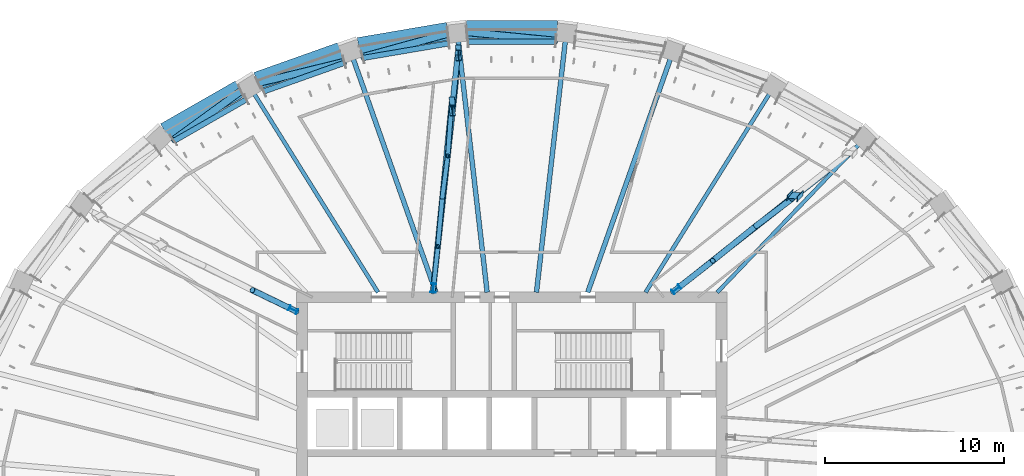
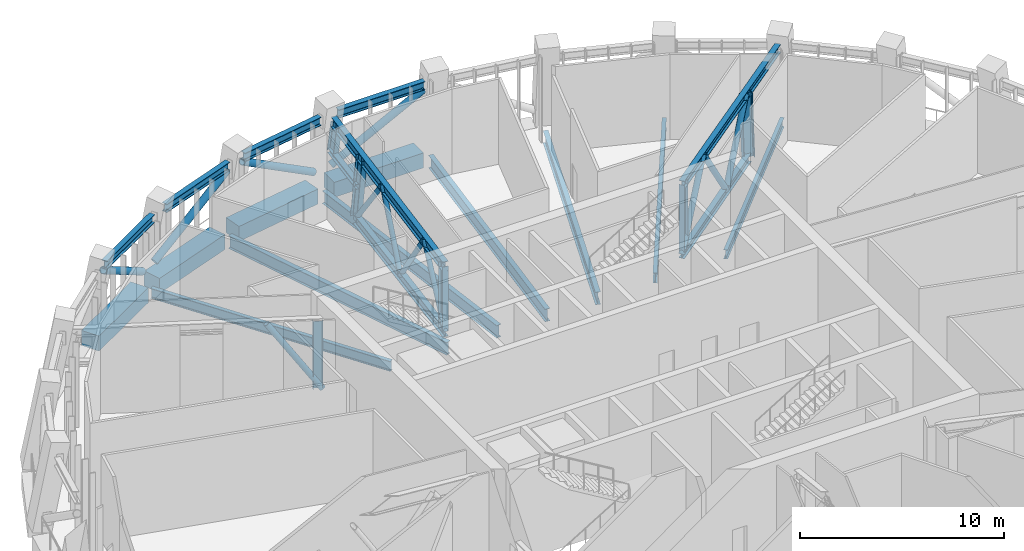
# One storey, part 5 of 20: 27 members, 11 beams.
"""IFC4 building model written with IfcOpenShell, lengths in metres."""

from ifc_helpers import new_model, si_unit, direction, frame, origin, origin_2d, place, context, subcontext, project, spatial, rectangle, hollow_circle, i_section, extrude, material, material_profile, profile_set, type_object, element, save


model = new_model("IFC4")

# Units and contexts
model_context = context("Model", 3, precision=1e-05, world=origin(), true_north=direction((0.0, 1.0)))
body_context = subcontext(model_context, "Body", "Model", "MODEL_VIEW")
ifc_project = project(units=[si_unit("LENGTHUNIT", "METRE"), si_unit("AREAUNIT", "SQUARE_METRE"), si_unit("VOLUMEUNIT", "CUBIC_METRE"), si_unit("PLANEANGLEUNIT", "RADIAN"), si_unit("MASSUNIT", "GRAM", prefix="KILO")], contexts=[model_context])

# Site, building, storey
site_placement = place(None, origin())
site = spatial("IfcSite", under=ifc_project, at=site_placement, CompositionType="ELEMENT")
building_placement = place(site_placement, origin())
building = spatial("IfcBuilding", under=site, at=building_placement, Name="Halqa Exchange Tower", CompositionType="ELEMENT")
storey_placement = place(building_placement, frame((0.0, 0.0, 250.89990234375)))
storey = spatial("IfcBuildingStorey", under=building, at=storey_placement, Name="L58", CompositionType="ELEMENT", Elevation=250.89990234375)

# Members
ifc_material_1 = material(Name="Steel S355", Category="steel")
ifc_material_profile_1 = material_profile(ifc_material_1, i_section(OverallWidth=0.300048828125, OverallDepth=0.5, WebThickness=0.014404296875, FlangeThickness=0.028076171875, FilletRadius=0.027099609375, at=origin_2d()), Name="HEB 500")
ifc_profile_set_1 = profile_set([ifc_material_profile_1], Name="Steel S355")
member_type_1 = type_object("IfcMemberType", Name="Belt truss chord HEB 500", PredefinedType="CHORD", material=ifc_profile_set_1)
member_1_placement = place(storey_placement, frame((2.457763671875, 25.95166015625, 4.25), z_axis=(-1.0, 0.0, 0.0), x_axis=(0.0, -1.0, 0.0)))
element("IfcMember", 1, at=member_1_placement, inside=storey, type_object=member_type_1, Name="Belt chord 8", PredefinedType="CHORD", context=body_context, shape_type="SweptSolid", body=[
    extrude(i_section(OverallWidth=0.300048828125, OverallDepth=0.5, WebThickness=0.014404296875, FlangeThickness=0.028076171875, FilletRadius=0.027099609375, at=origin_2d()), origin(), (0.0, 0.0, 1.0), 4.91552734375),
])
member_2_placement = place(storey_placement, frame((-3.498779296875, 25.863525390625, 4.25), z_axis=(-0.985775224511, -0.168069053487, 0.0), x_axis=(0.168069053487, -0.985775224511, 0.0)))
element("IfcMember", 2, at=member_2_placement, inside=storey, type_object=member_type_1, Name="Belt chord 9", PredefinedType="CHORD", context=body_context, shape_type="SweptSolid", body=[
    extrude(i_section(OverallWidth=0.300048828125, OverallDepth=0.5, WebThickness=0.014404296875, FlangeThickness=0.028076171875, FilletRadius=0.027099609375, at=origin_2d()), origin(), (0.0, 0.0, 1.0), 4.88525390625),
])
member_3_placement = place(storey_placement, frame((-9.325927734375, 24.77880859375, 4.25), z_axis=(-0.942372371925, -0.334565856944, 0.0), x_axis=(0.334565856944, -0.942372371925, 0.0)))
element("IfcMember", 3, at=member_3_placement, inside=storey, type_object=member_type_1, Name="Belt chord 10", PredefinedType="CHORD", context=body_context, shape_type="SweptSolid", body=[
    extrude(i_section(OverallWidth=0.300048828125, OverallDepth=0.5, WebThickness=0.014404296875, FlangeThickness=0.028076171875, FilletRadius=0.027099609375, at=origin_2d()), origin(), (0.0, 0.0, 1.0), 4.797119140625),
])
member_4_placement = place(storey_placement, frame((-14.795654296875, 22.738037109375, 4.25), z_axis=(-0.867756652631, -0.496989327666, 0.0), x_axis=(0.496989327666, -0.867756652631, 0.0)))
element("IfcMember", 4, at=member_4_placement, inside=storey, type_object=member_type_1, Name="Belt chord 11", PredefinedType="CHORD", context=body_context, shape_type="SweptSolid", body=[
    extrude(i_section(OverallWidth=0.300048828125, OverallDepth=0.5, WebThickness=0.014404296875, FlangeThickness=0.028076171875, FilletRadius=0.027099609375, at=origin_2d()), origin(), (0.0, 0.0, 1.0), 4.667236328125),
])
ifc_material_profile_2 = material_profile(ifc_material_1, hollow_circle(Radius=0.203125, WallThickness=0.02490234375, at=origin_2d()), Name="CHS 406.4x25")
ifc_profile_set_2 = profile_set([ifc_material_profile_2], Name="Steel S355")
member_type_2 = type_object("IfcMemberType", Name="Belt truss diagonal CHS 406.4x25", PredefinedType="BRACE", material=ifc_profile_set_2)
member_5_placement = place(storey_placement, frame((2.4619140625, 26.002685546875, 3.9267578125), z_axis=(-0.846321939082, 0.08311091188, -0.526148032168), x_axis=(-0.097732356965, -0.995212734244, 0.0)))
element("IfcMember", 5, at=member_5_placement, inside=storey, type_object=member_type_2, Name="Belt diagonal 8", PredefinedType="BRACE", context=body_context, shape_type="SweptSolid", body=[
    extrude(hollow_circle(Radius=0.203125, WallThickness=0.02490234375, at=origin_2d()), origin(), (0.0, 0.0, 1.0), 5.8896484375),
])
member_6_placement = place(storey_placement, frame((-3.561767578125, 26.4033203125, 0.83203125), z_axis=(-0.817505300684, -0.224772077294, 0.530247674793), x_axis=(0.265110559266, -0.96421802066, 0.0)))
element("IfcMember", 6, at=member_6_placement, inside=storey, type_object=member_type_2, Name="Belt diagonal 9", PredefinedType="BRACE", context=body_context, shape_type="SweptSolid", body=[
    extrude(hollow_circle(Radius=0.203125, WallThickness=0.02490234375, at=origin_2d()), origin(), (0.0, 0.0, 1.0), 5.82958984375),
])
member_7_placement = place(storey_placement, frame((-9.339111328125, 24.829833984375, 3.924072265625), z_axis=(-0.823999128006, -0.202018352643, -0.529352455591), x_axis=(0.238116304833, -0.971236647462, 0.0)))
element("IfcMember", 7, at=member_7_placement, inside=storey, type_object=member_type_2, Name="Belt diagonal 10", PredefinedType="BRACE", context=body_context, shape_type="SweptSolid", body=[
    extrude(hollow_circle(Radius=0.203125, WallThickness=0.02490234375, at=origin_2d()), origin(), (0.0, 0.0, 1.0), 5.8408203125),
])
member_8_placement = place(storey_placement, frame((-15.100341796875, 23.209716796875, 0.849365234375), z_axis=(-0.676726577133, -0.491731315679, 0.547942928582), x_axis=(0.587832726753, -0.808982500032, 0.0)))
element("IfcMember", 8, at=member_8_placement, inside=storey, type_object=member_type_2, Name="Belt diagonal 11", PredefinedType="BRACE", context=body_context, shape_type="SweptSolid", body=[
    extrude(hollow_circle(Radius=0.203125, WallThickness=0.02490234375, at=origin_2d()), origin(), (0.0, 0.0, 1.0), 5.5810546875),
])

# Beams
ifc_material_profile_3 = material_profile(ifc_material_1, i_section(OverallWidth=0.2099609375, OverallDepth=0.550048828125, WebThickness=0.010986328125, FlangeThickness=0.01708984375, FilletRadius=0.02392578125, at=origin_2d()), Name="IPE 550")
ifc_profile_set_3 = profile_set([ifc_material_profile_3], Name="Steel S355")
beam_type_1 = type_object("IfcBeamType", Name="Floor beam IPE 550", PredefinedType="BEAM", material=ifc_profile_set_3)
beam_1_placement = place(storey_placement, frame((11.462646484375, 11.971923828125, -0.625), z_axis=(0.691575675891, 0.722304011145, 0.0), x_axis=(-0.722304011145, 0.691575675891, 0.0)))
element("IfcBeam", 9, at=beam_1_placement, inside=storey, type_object=beam_type_1, Name="Radial beam 5", PredefinedType="BEAM", context=body_context, shape_type="SweptSolid", body=[
    extrude(i_section(OverallWidth=0.2099609375, OverallDepth=0.550048828125, WebThickness=0.010986328125, FlangeThickness=0.01708984375, FilletRadius=0.02392578125, at=origin_2d()), origin(), (0.0, 0.0, 1.0), 11.679443359375),
])
ifc_material_profile_4 = material_profile(ifc_material_1, i_section(OverallWidth=0.219970703125, OverallDepth=0.60009765625, WebThickness=0.011962890625, FlangeThickness=0.01904296875, FilletRadius=0.02392578125, at=origin_2d()), Name="IPE 600")
ifc_profile_set_4 = profile_set([ifc_material_profile_4], Name="Steel S355")
beam_type_2 = type_object("IfcBeamType", Name="Floor beam IPE 600", PredefinedType="BEAM", material=ifc_profile_set_4)
for number, where, z_axis, x_axis, name in (
    (10, (7.4658203125, 11.972412109375, -0.64990234375), (0.529135296515, 0.848537469993, 0.0), (-0.848537469993, 0.529135296515, 0.0), "Radial beam 6"),
    (11, (-7.4658203125, 11.972412109375, -0.64990234375), (-0.529135296515, 0.848537469993, 0.0), (-0.848537469993, -0.529135296515, 0.0), "Radial beam 11"),
):
    element("IfcBeam", number, at=place(storey_placement, frame(where, z_axis=z_axis, x_axis=x_axis)), inside=storey, type_object=beam_type_2, Name=name, PredefinedType="BEAM", context=body_context, shape_type="SweptSolid", body=[
        extrude(i_section(OverallWidth=0.219970703125, OverallDepth=0.60009765625, WebThickness=0.011962890625, FlangeThickness=0.01904296875, FilletRadius=0.02392578125, at=origin_2d()), origin(), (0.0, 0.0, 1.0), 13.319091796875),
    ])
ifc_material_profile_5 = material_profile(ifc_material_1, i_section(OverallWidth=0.264892578125, OverallDepth=0.7529296875, WebThickness=0.01318359375, FlangeThickness=0.01708984375, FilletRadius=0.01708984375, at=origin_2d()), Name="IPE 750x147")
ifc_profile_set_5 = profile_set([ifc_material_profile_5], Name="Steel S355")
beam_type_3 = type_object("IfcBeamType", Name="Floor beam IPE 750x147", PredefinedType="BEAM", material=ifc_profile_set_5)
beam_2_placement = place(storey_placement, frame((4.23681640625, 11.9716796875, -0.726318359375), z_axis=(0.333623449979, 0.942706419637, 0.0), x_axis=(-0.942706419637, 0.333623449979, 0.0)))
element("IfcBeam", 12, at=beam_2_placement, inside=storey, type_object=beam_type_3, Name="Radial beam 7", PredefinedType="BEAM", context=body_context, shape_type="SweptSolid", body=[
    extrude(i_section(OverallWidth=0.264892578125, OverallDepth=0.7529296875, WebThickness=0.01318359375, FlangeThickness=0.01708984375, FilletRadius=0.01708984375, at=origin_2d()), origin(), (0.0, 0.0, 1.0), 14.08251953125),
])
for number, where, z_axis, x_axis, name in (
    (13, (1.375732421875, 11.972900390625, -0.726318359375), (0.114151559232, 0.993463346845, 0.0), (-0.993463346845, 0.114151559232, 0.0), "Radial beam 8"),
    (14, (-1.375732421875, 11.972900390625, -0.726318359375), (-0.114151559232, 0.993463346845, 0.0), (-0.993463346845, -0.114151559232, 0.0), "Radial beam 9"),
):
    element("IfcBeam", number, at=place(storey_placement, frame(where, z_axis=z_axis, x_axis=x_axis)), inside=storey, type_object=beam_type_3, Name=name, PredefinedType="BEAM", context=body_context, shape_type="SweptSolid", body=[
        extrude(i_section(OverallWidth=0.264892578125, OverallDepth=0.7529296875, WebThickness=0.01318359375, FlangeThickness=0.01708984375, FilletRadius=0.01708984375, at=origin_2d()), origin(), (0.0, 0.0, 1.0), 14.37451171875),
    ])
beam_3_placement = place(storey_placement, frame((-4.23681640625, 11.9716796875, -0.726318359375), z_axis=(-0.333623449979, 0.942706419637, 0.0), x_axis=(-0.942706419637, -0.333623449979, 0.0)))
element("IfcBeam", 15, at=beam_3_placement, inside=storey, type_object=beam_type_3, Name="Radial beam 10", PredefinedType="BEAM", context=body_context, shape_type="SweptSolid", body=[
    extrude(i_section(OverallWidth=0.264892578125, OverallDepth=0.7529296875, WebThickness=0.01318359375, FlangeThickness=0.01708984375, FilletRadius=0.01708984375, at=origin_2d()), origin(), (0.0, 0.0, 1.0), 14.08251953125),
])

# Members
ifc_material_profile_6 = material_profile(ifc_material_1, i_section(OverallWidth=0.300048828125, OverallDepth=0.5, WebThickness=0.014404296875, FlangeThickness=0.028076171875, FilletRadius=0.027099609375, at=origin_2d()), Name="HEB 500")
ifc_profile_set_6 = profile_set([ifc_material_profile_6], Name="Steel S355")
member_type_3 = type_object("IfcMemberType", Name="Outrigger chord HEB 500", PredefinedType="CHORD", material=ifc_profile_set_6)
member_9_placement = place(storey_placement, frame((8.97900390625, 11.983154296875, 0.25), z_axis=(0.782633689878, 0.622482535874, 0.0), x_axis=(-0.622482535874, 0.782633689878, 0.0)))
element("IfcMember", 16, at=member_9_placement, inside=storey, type_object=member_type_3, Name="Outrigger 2 chord", PredefinedType="CHORD", context=body_context, shape_type="SweptSolid", body=[
    extrude(i_section(OverallWidth=0.300048828125, OverallDepth=0.5, WebThickness=0.014404296875, FlangeThickness=0.028076171875, FilletRadius=0.027099609375, at=origin_2d()), origin(), (0.0, 0.0, 1.0), 8.9453125),
])
member_10_placement = place(storey_placement, frame((8.97900390625, 11.983154296875, 4.400146484375), z_axis=(0.787288560676, 0.61658472429, 0.0), x_axis=(-0.61658472429, 0.787288560676, 0.0)))
element("IfcMember", 17, at=member_10_placement, inside=storey, type_object=member_type_3, Name="Outrigger 2 chord", PredefinedType="CHORD", context=body_context, shape_type="SweptSolid", body=[
    extrude(i_section(OverallWidth=0.300048828125, OverallDepth=0.5, WebThickness=0.014404296875, FlangeThickness=0.028076171875, FilletRadius=0.027099609375, at=origin_2d()), origin(), (0.0, 0.0, 1.0), 12.665771484375),
])
ifc_material_profile_7 = material_profile(ifc_material_1, i_section(OverallWidth=0.300048828125, OverallDepth=0.60009765625, WebThickness=0.015380859375, FlangeThickness=0.030029296875, FilletRadius=0.027099609375, at=origin_2d()), Name="HEB 600")
ifc_profile_set_7 = profile_set([ifc_material_profile_7], Name="Steel S355")
member_type_4 = type_object("IfcMemberType", Name="Outrigger chord HEB 600", PredefinedType="CHORD", material=ifc_profile_set_7)
member_11_placement = place(storey_placement, frame((-4.402587890625, 11.97314453125, 0.300048828125), z_axis=(0.098863206507, 0.995101033262, 0.0), x_axis=(-0.995101033262, 0.098863206507, 0.0)))
element("IfcMember", 18, at=member_11_placement, inside=storey, type_object=member_type_4, Name="Outrigger 3 chord", PredefinedType="CHORD", context=body_context, shape_type="SweptSolid", body=[
    extrude(i_section(OverallWidth=0.300048828125, OverallDepth=0.60009765625, WebThickness=0.015380859375, FlangeThickness=0.030029296875, FilletRadius=0.027099609375, at=origin_2d()), origin(), (0.0, 0.0, 1.0), 10.680419921875),
])
member_12_placement = place(storey_placement, frame((-4.402587890625, 11.97314453125, 4.2001953125), z_axis=(0.108485275227, 0.994098056058, 0.0), x_axis=(-0.994098056058, 0.108485275227, 0.0)))
element("IfcMember", 19, at=member_12_placement, inside=storey, type_object=member_type_4, Name="Outrigger 3 chord", PredefinedType="CHORD", context=body_context, shape_type="SweptSolid", body=[
    extrude(i_section(OverallWidth=0.300048828125, OverallDepth=0.60009765625, WebThickness=0.015380859375, FlangeThickness=0.030029296875, FilletRadius=0.027099609375, at=origin_2d()), origin(), (0.0, 0.0, 1.0), 13.590576171875),
])
ifc_material_profile_8 = material_profile(ifc_material_1, hollow_circle(Radius=0.136474609375, WallThickness=0.01611328125, at=origin_2d()), Name="CHS 273x16")
ifc_profile_set_8 = profile_set([ifc_material_profile_8], Name="Steel S355")
member_type_5 = type_object("IfcMemberType", Name="Outrigger diagonal CHS 273x16", PredefinedType="BRACE", material=ifc_profile_set_8)
member_13_placement = place(storey_placement, frame((-4.39990234375, 12.0, 0.300048828125), z_axis=(0.05925222638, 0.542970623152, 0.837658687093), x_axis=(-0.994098412464, 0.108482009279, 0.0)))
element("IfcMember", 20, at=member_13_placement, inside=storey, type_object=member_type_5, Name="Outrigger 3 diagonal", PredefinedType="BRACE", context=body_context, shape_type="SweptSolid", body=[
    extrude(hollow_circle(Radius=0.136474609375, WallThickness=0.01611328125, at=origin_2d()), origin(), (0.0, 0.0, 1.0), 4.656005859375),
])
member_14_placement = place(storey_placement, frame((-4.1240234375, 14.528076171875, 4.2001953125), z_axis=(0.052155056073, 0.576767557468, -0.815241703287), x_axis=(-0.995936430257, 0.09005901891, 0.0)))
element("IfcMember", 21, at=member_14_placement, inside=storey, type_object=member_type_5, Name="Outrigger 3 diagonal", PredefinedType="BRACE", context=body_context, shape_type="SweptSolid", body=[
    extrude(hollow_circle(Radius=0.136474609375, WallThickness=0.01611328125, at=origin_2d()), origin(), (0.0, 0.0, 1.0), 4.783935546875),
])
member_15_placement = place(storey_placement, frame((-3.87451171875, 17.287353515625, 0.300048828125), z_axis=(0.066679911021, 0.506369074091, 0.859734930237), x_axis=(-0.991441020339, 0.13055536446, 0.0)))
element("IfcMember", 22, at=member_15_placement, inside=storey, type_object=member_type_5, Name="Outrigger 3 diagonal", PredefinedType="BRACE", context=body_context, shape_type="SweptSolid", body=[
    extrude(hollow_circle(Radius=0.136474609375, WallThickness=0.01611328125, at=origin_2d()), origin(), (0.0, 0.0, 1.0), 4.536376953125),
])
member_16_placement = place(storey_placement, frame((-3.572021484375, 19.58447265625, 4.2001953125), z_axis=(0.045259243233, 0.607823696398, -0.792781152021), x_axis=(-0.997239244461, 0.074255567517, 0.0)))
element("IfcMember", 23, at=member_16_placement, inside=storey, type_object=member_type_5, Name="Outrigger 3 diagonal", PredefinedType="BRACE", context=body_context, shape_type="SweptSolid", body=[
    extrude(hollow_circle(Radius=0.136474609375, WallThickness=0.01611328125, at=origin_2d()), origin(), (0.0, 0.0, 1.0), 4.919677734375),
])
ifc_material_profile_9 = material_profile(ifc_material_1, hollow_circle(Radius=0.161865234375, WallThickness=0.01611328125, at=origin_2d()), Name="CHS 323.9x16")
ifc_profile_set_9 = profile_set([ifc_material_profile_9], Name="Steel S355")
member_type_6 = type_object("IfcMemberType", Name="Outrigger diagonal CHS 323.9x16", PredefinedType="BRACE", material=ifc_profile_set_9)
member_17_placement = place(storey_placement, frame((9.0, 12.0, 0.25), z_axis=(0.441250893415, 0.345566146295, 0.828179743531), x_axis=(-0.616573084042, 0.787297676889, 0.0)))
element("IfcMember", 24, at=member_17_placement, inside=storey, type_object=member_type_6, Name="Outrigger 2 diagonal", PredefinedType="BRACE", context=body_context, shape_type="SweptSolid", body=[
    extrude(hollow_circle(Radius=0.161865234375, WallThickness=0.01611328125, at=origin_2d()), origin(), (0.0, 0.0, 1.0), 5.01123046875),
])
member_18_placement = place(storey_placement, frame((11.211181640625, 13.731689453125, 4.400146484375), z_axis=(0.4676754644, 0.377150047711, -0.7993982121), x_axis=(-0.627744801585, 0.778419208449, 0.0)))
element("IfcMember", 25, at=member_18_placement, inside=storey, type_object=member_type_6, Name="Outrigger 2 diagonal", PredefinedType="BRACE", context=body_context, shape_type="SweptSolid", body=[
    extrude(hollow_circle(Radius=0.161865234375, WallThickness=0.01611328125, at=origin_2d()), origin(), (0.0, 0.0, 1.0), 5.191650390625),
])
member_19_placement = place(storey_placement, frame((13.63916015625, 15.689697265625, 0.25), z_axis=(0.411730977562, 0.310788854177, 0.856672568859), x_axis=(-0.602466795706, 0.798143946962, 0.0)))
element("IfcMember", 26, at=member_19_placement, inside=storey, type_object=member_type_6, Name="Outrigger 2 diagonal", PredefinedType="BRACE", context=body_context, shape_type="SweptSolid", body=[
    extrude(hollow_circle(Radius=0.161865234375, WallThickness=0.01611328125, at=origin_2d()), origin(), (0.0, 0.0, 1.0), 4.844482421875),
])
member_20_placement = place(storey_placement, frame((-12.0, 10.89990234375, 0.25), z_axis=(-0.509601086066, 0.245842514856, 0.824541200287), x_axis=(-0.434502796059, -0.900670483705, 0.0)))
element("IfcMember", 27, at=member_20_placement, inside=storey, type_object=member_type_6, Name="Outrigger 4 diagonal", PredefinedType="BRACE", context=body_context, shape_type="SweptSolid", body=[
    extrude(hollow_circle(Radius=0.161865234375, WallThickness=0.01611328125, at=origin_2d()), origin(), (0.0, 0.0, 1.0), 4.85107421875),
])
ifc_material_profile_10 = material_profile(ifc_material_1, i_section(OverallWidth=0.300048828125, OverallDepth=0.300048828125, WebThickness=0.010986328125, FlangeThickness=0.01904296875, FilletRadius=0.027099609375, at=origin_2d()), Name="HEB 300")
ifc_profile_set_10 = profile_set([ifc_material_profile_10], Name="Steel S355")
member_type_7 = type_object("IfcMemberType", Name="Outrigger opening chord HEB 300", PredefinedType="CHORD", material=ifc_profile_set_10)
member_21_placement = place(storey_placement, frame((-3.3212890625, 22.331787109375, 2.35009765625), z_axis=(0.103789181757, 0.994599319199, 0.0), x_axis=(-0.994599319199, 0.103789181757, 0.0)))
element("IfcMember", 28, at=member_21_placement, inside=storey, type_object=member_type_7, Name="Outrigger 3 opening chord", PredefinedType="CHORD", context=body_context, shape_type="SweptSolid", body=[
    extrude(i_section(OverallWidth=0.300048828125, OverallDepth=0.300048828125, WebThickness=0.010986328125, FlangeThickness=0.01904296875, FilletRadius=0.027099609375, at=origin_2d()), origin(), (0.0, 0.0, 1.0), 3.462646484375),
])
ifc_material_profile_11 = material_profile(ifc_material_1, i_section(OverallWidth=0.300048828125, OverallDepth=0.5, WebThickness=0.014404296875, FlangeThickness=0.028076171875, FilletRadius=0.027099609375, at=origin_2d()), Name="HEB 500")
ifc_profile_set_11 = profile_set([ifc_material_profile_11], Name="Steel S355")
member_type_8 = type_object("IfcMemberType", Name="Outrigger post HEB 500", PredefinedType="POST", material=ifc_profile_set_11)
member_22_placement = place(storey_placement, frame((9.174072265625, 12.138427734375, 0.25), z_axis=(0.0, 0.0, 1.0), x_axis=(-0.622651218046, 0.782499495633, 0.0)))
element("IfcMember", 29, at=member_22_placement, inside=storey, type_object=member_type_8, Name="Outrigger 2 post", PredefinedType="POST", context=body_context, shape_type="SweptSolid", body=[
    extrude(i_section(OverallWidth=0.300048828125, OverallDepth=0.5, WebThickness=0.014404296875, FlangeThickness=0.028076171875, FilletRadius=0.027099609375, at=origin_2d()), origin(), (0.0, 0.0, 1.0), 4.150146484375),
])
member_23_placement = place(storey_placement, frame((-4.3779296875, 12.22119140625, 0.300048828125), z_axis=(0.0, 0.0, 1.0), x_axis=(-0.995140145441, 0.098468730726, 0.0)))
element("IfcMember", 30, at=member_23_placement, inside=storey, type_object=member_type_8, Name="Outrigger 3 post", PredefinedType="POST", context=body_context, shape_type="SweptSolid", body=[
    extrude(i_section(OverallWidth=0.300048828125, OverallDepth=0.5, WebThickness=0.014404296875, FlangeThickness=0.028076171875, FilletRadius=0.027099609375, at=origin_2d()), origin(), (0.0, 0.0, 1.0), 3.900146484375),
])
member_24_placement = place(storey_placement, frame((-12.19921875, 10.998291015625, 0.25), z_axis=(0.0, 0.0, 1.0), x_axis=(-0.442617381532, -0.896710574023, 0.0)))
element("IfcMember", 31, at=member_24_placement, inside=storey, type_object=member_type_8, Name="Outrigger 4 post", PredefinedType="POST", context=body_context, shape_type="SweptSolid", body=[
    extrude(i_section(OverallWidth=0.300048828125, OverallDepth=0.5, WebThickness=0.014404296875, FlangeThickness=0.028076171875, FilletRadius=0.027099609375, at=origin_2d()), origin(), (0.0, 0.0, 1.0), 4.0),
])
ifc_material_profile_12 = material_profile(ifc_material_1, i_section(OverallWidth=0.300048828125, OverallDepth=0.60009765625, WebThickness=0.015380859375, FlangeThickness=0.030029296875, FilletRadius=0.027099609375, at=origin_2d()), Name="HEB 600")
ifc_profile_set_12 = profile_set([ifc_material_profile_12], Name="Steel S355")
member_type_9 = type_object("IfcMemberType", Name="Outrigger post HEB 600", PredefinedType="POST", material=ifc_profile_set_12)
member_25_placement = place(storey_placement, frame((15.958740234375, 17.53466796875, 0.25), z_axis=(-0.077801720756, -0.081250482232, 0.993652480188), x_axis=(0.088028863625, 0.992220916675, 0.088025971626)))
element("IfcMember", 32, at=member_25_placement, inside=storey, type_object=member_type_9, Name="Outrigger 2 post", PredefinedType="POST", context=body_context, shape_type="SweptSolid", body=[
    extrude(i_section(OverallWidth=0.300048828125, OverallDepth=0.60009765625, WebThickness=0.015380859375, FlangeThickness=0.030029296875, FilletRadius=0.027099609375, at=origin_2d()), origin(), (0.0, 0.0, 1.0), 4.1767578125),
])
member_26_placement = place(storey_placement, frame((-3.349365234375, 22.57470703125, 0.300048828125), z_axis=(0.013550266812, -0.117663555391, 0.992961065703), x_axis=(-0.999792266807, -0.01671536263, 0.011662756351)))
element("IfcMember", 33, at=member_26_placement, inside=storey, type_object=member_type_9, Name="Outrigger 3 post", PredefinedType="POST", context=body_context, shape_type="SweptSolid", body=[
    extrude(i_section(OverallWidth=0.300048828125, OverallDepth=0.60009765625, WebThickness=0.015380859375, FlangeThickness=0.030029296875, FilletRadius=0.027099609375, at=origin_2d()), origin(), (0.0, 0.0, 1.0), 3.927734375),
])
member_27_placement = place(storey_placement, frame((-2.991455078125, 25.47802734375, 2.35009765625), z_axis=(0.017984683283, -0.155997578912, 0.987593695069), x_axis=(-0.999729631268, -0.017365812145, 0.015462630242)))
element("IfcMember", 34, at=member_27_placement, inside=storey, type_object=member_type_9, Name="Outrigger 3 post", PredefinedType="POST", context=body_context, shape_type="SweptSolid", body=[
    extrude(i_section(OverallWidth=0.300048828125, OverallDepth=0.60009765625, WebThickness=0.015380859375, FlangeThickness=0.030029296875, FilletRadius=0.027099609375, at=origin_2d()), origin(), (0.0, 0.0, 1.0), 1.873291015625),
])

# Beams
ifc_material_2 = material(Name="Concrete C60/75", Category="concrete")
ifc_material_profile_13 = material_profile(ifc_material_2, rectangle(XDim=1.0, YDim=0.89990234375, at=origin_2d()), Name="1000 x 900")
ifc_profile_set_13 = profile_set([ifc_material_profile_13], Name="Concrete C60/75")
beam_type_4 = type_object("IfcBeamType", Name="RC spandrel beam 1000 x 900 C60/75", PredefinedType="SPANDREL", material=ifc_profile_set_13)
beam_4_placement = place(storey_placement, frame((2.535400390625, 26.623046875, -0.449951171875), z_axis=(-1.0, 0.0, 0.0), x_axis=(0.0, -1.0, 0.0)))
element("IfcBeam", 35, at=beam_4_placement, inside=storey, type_object=beam_type_4, Name="Spandrel 8", PredefinedType="SPANDREL", context=body_context, shape_type="SweptSolid", body=[
    extrude(rectangle(XDim=1.0, YDim=0.89990234375, at=origin_2d()), origin(), (0.0, 0.0, 1.0), 5.07080078125),
])
beam_5_placement = place(storey_placement, frame((-3.57568359375, 26.534912109375, -0.449951171875), z_axis=(-0.985775605401, -0.16806681944, 0.0), x_axis=(0.16806681944, -0.985775605401, 0.0)))
element("IfcBeam", 36, at=beam_5_placement, inside=storey, type_object=beam_type_4, Name="Spandrel 9", PredefinedType="SPANDREL", context=body_context, shape_type="SweptSolid", body=[
    extrude(rectangle(XDim=1.0, YDim=0.89990234375, at=origin_2d()), origin(), (0.0, 0.0, 1.0), 5.039306640625),
])
beam_6_placement = place(storey_placement, frame((-9.554443359375, 25.42431640625, -0.449951171875), z_axis=(-0.94237407927, -0.334561047822, 0.0), x_axis=(0.334561047822, -0.94237407927, 0.0)))
element("IfcBeam", 37, at=beam_6_placement, inside=storey, type_object=beam_type_4, Name="Spandrel 10", PredefinedType="SPANDREL", context=body_context, shape_type="SweptSolid", body=[
    extrude(rectangle(XDim=1.0, YDim=0.89990234375, at=origin_2d()), origin(), (0.0, 0.0, 1.0), 4.94970703125),
])
beam_7_placement = place(storey_placement, frame((-15.167724609375, 23.33251953125, -0.449951171875), z_axis=(-0.8677465318, -0.497006998491, 0.0), x_axis=(0.497006998491, -0.8677465318, 0.0)))
element("IfcBeam", 38, at=beam_7_placement, inside=storey, type_object=beam_type_4, Name="Spandrel 11", PredefinedType="SPANDREL", context=body_context, shape_type="SweptSolid", body=[
    extrude(rectangle(XDim=1.0, YDim=0.89990234375, at=origin_2d()), origin(), (0.0, 0.0, 1.0), 4.814453125),
])

save(model, "model.ifc")
